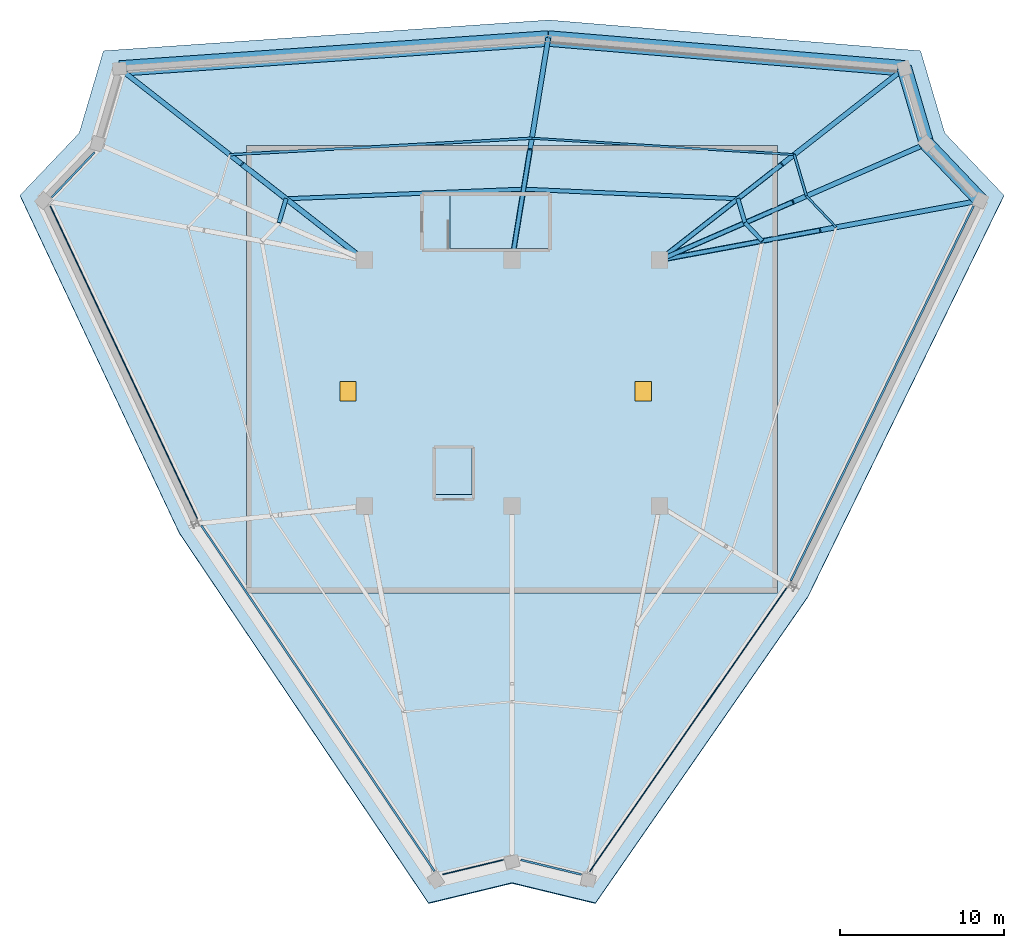
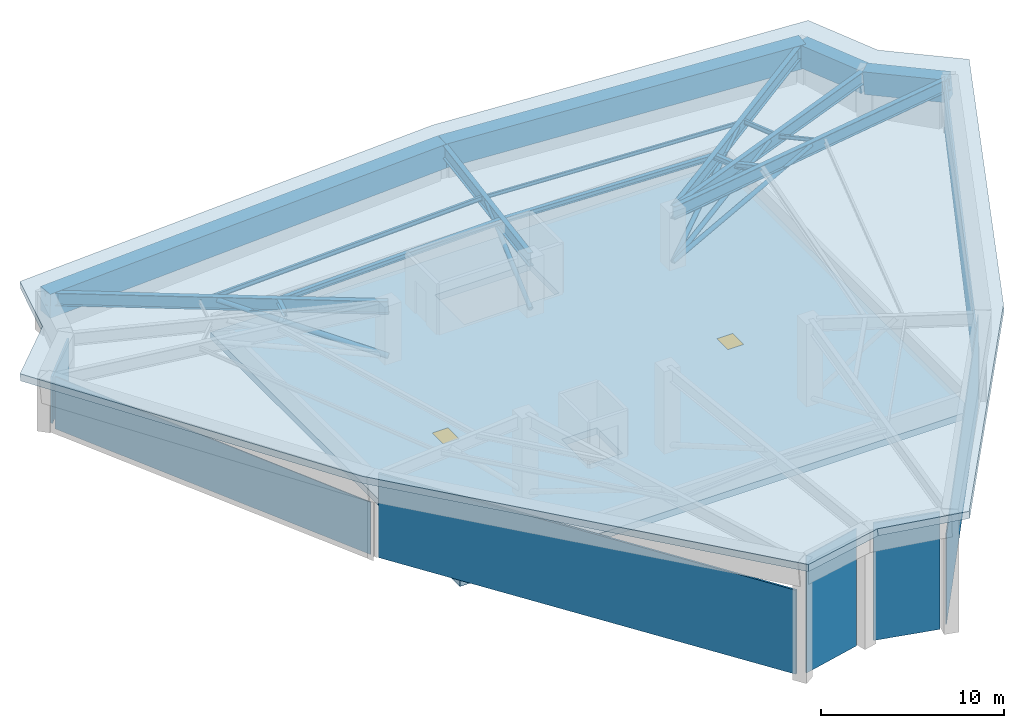
# One storey, part 4 of 6: 13 beams, 10 members, 7 plates, 2 doors, 2 slabs, 2 openings.
"""IFC4 building model written with IfcOpenShell, lengths in metres."""

from ifc_helpers import new_model, si_unit, direction, frame, origin, origin_2d, place, context, subcontext, project, spatial, polyline, rectangle, hollow_circle, i_section, outline, extrude, source, transform, mapped, material, layer, layer_set, material_profile, profile_set, type_object, element, fill, save


model = new_model("IFC4")

# Units and contexts
model_context = context("Model", 3, precision=1e-05, world=origin(), true_north=direction((0.0, 1.0)))
body_context = subcontext(model_context, "Body", "Model", "MODEL_VIEW")
ifc_project = project(units=[si_unit("LENGTHUNIT", "METRE"), si_unit("AREAUNIT", "SQUARE_METRE"), si_unit("VOLUMEUNIT", "CUBIC_METRE"), si_unit("PLANEANGLEUNIT", "RADIAN"), si_unit("MASSUNIT", "GRAM", prefix="KILO")], contexts=[model_context])

# Site, building, storey
site_placement = place(None, origin())
site = spatial("IfcSite", under=ifc_project, at=site_placement, CompositionType="ELEMENT")
building_placement = place(site_placement, origin())
building = spatial("IfcBuilding", under=site, at=building_placement, Name="Liaohun Quay Tower", CompositionType="ELEMENT")
storey_placement = place(building_placement, frame((0.0, 0.0, 371.39990234375)))
storey = spatial("IfcBuildingStorey", under=building, at=storey_placement, Name="L95", CompositionType="ELEMENT", Elevation=371.39990234375)

# Beams
ifc_material_1 = material(Name="Concrete C55", Category="concrete")
ifc_material_profile_1 = material_profile(ifc_material_1, rectangle(XDim=0.949951171875, YDim=1.60009765625, at=origin_2d()), Name="RC950x1600")
ifc_profile_set_1 = profile_set([ifc_material_profile_1], Name="Concrete C55")
beam_type_1 = type_object("IfcBeamType", Name="BM-CAN-LNG", PredefinedType="SPANDREL", material=ifc_profile_set_1)
shared_shape_1 = source(origin(), body_context, "Body", "SweptSolid", [
    extrude(rectangle(XDim=0.949951171875, YDim=1.60009765625, at=origin_2d()), origin(), (0.0, 0.0, 1.0), 26.20849609375),
])
beam_1_placement = place(storey_placement, frame((36.06298828125, 73.18505859375, 1.8681640625), z_axis=(0.997536349178, 0.069743520594, -0.007554694163), x_axis=(-0.069745510929, 0.997564816794, 0.0)))
element("IfcBeam", 1, at=beam_1_placement, inside=storey, type_object=beam_type_1, Name="L95 Sloped Canopy Ring Beam PC05-PC06", PredefinedType="SPANDREL", context=body_context, shape_type="MappedRepresentation", body=[
    mapped(shared_shape_1, transform((0.0, 0.0, 0.0), x_axis=(1.0, 0.0, 0.0), y_axis=(0.0, 1.0, 0.0), z_axis=(0.0, 0.0, 1.0), scale=1.0)),
])
shared_shape_2 = source(origin(), body_context, "Body", "SweptSolid", [
    extrude(rectangle(XDim=0.949951171875, YDim=1.60009765625, at=origin_2d()), origin(), (0.0, 0.0, 1.0), 21.803955078125),
])
beam_2_placement = place(storey_placement, frame((62.20703125, 75.012939453125, 1.670166015625), z_axis=(0.996473650468, -0.083418305683, 0.009036050025), x_axis=(0.083421711453, 0.996514334096, 0.0)))
element("IfcBeam", 2, at=beam_2_placement, inside=storey, type_object=beam_type_1, Name="L95 Sloped Canopy Ring Beam PC06-PC07", PredefinedType="SPANDREL", context=body_context, shape_type="MappedRepresentation", body=[
    mapped(shared_shape_2, transform((0.0, 0.0, 0.0), x_axis=(1.0, 0.0, 0.0), y_axis=(0.0, 1.0, 0.0), z_axis=(0.0, 0.0, 1.0), scale=1.0)),
])
ifc_material_profile_2 = material_profile(ifc_material_1, rectangle(XDim=0.89990234375, YDim=1.5, at=origin_2d()), Name="RC900x1500")
ifc_profile_set_2 = profile_set([ifc_material_profile_2], Name="Concrete C55")
beam_type_2 = type_object("IfcBeamType", Name="BM-CAN-RING", PredefinedType="BEAM", material=ifc_profile_set_2)
shared_shape_3 = source(origin(), body_context, "Body", "SweptSolid", [
    extrude(rectangle(XDim=0.89990234375, YDim=1.5, at=origin_2d()), origin(), (0.0, 0.0, 1.0), 4.8154296875),
])
beam_3_placement = place(storey_placement, frame((83.93408203125, 73.194091796875, 1.8671875), z_axis=(0.281181829998, -0.954020644622, 0.103833463367), x_axis=(0.959205440384, 0.282709962926, 0.0)))
element("IfcBeam", 3, at=beam_3_placement, inside=storey, type_object=beam_type_2, Name="L95 Sloped Canopy Ring Beam PC07-PC08", PredefinedType="BEAM", context=body_context, shape_type="MappedRepresentation", body=[
    mapped(shared_shape_3, transform((0.0, 0.0, 0.0), x_axis=(1.0, 0.0, 0.0), y_axis=(0.0, 1.0, 0.0), z_axis=(0.0, 0.0, 1.0), scale=1.0)),
])
shared_shape_4 = source(origin(), body_context, "Body", "SweptSolid", [
    extrude(rectangle(XDim=0.89990234375, YDim=1.5, at=origin_2d()), origin(), (0.0, 0.0, 1.0), 4.794921875),
])
beam_4_placement = place(storey_placement, frame((85.2880859375, 68.60009765625, 2.3671875), z_axis=(0.687170609586, -0.72225215597, 0.078411584081), x_axis=(0.724482786422, 0.689292892883, 0.0)))
element("IfcBeam", 4, at=beam_4_placement, inside=storey, type_object=beam_type_2, Name="L95 Sloped Canopy Ring Beam PC08-PC09", PredefinedType="BEAM", context=body_context, shape_type="MappedRepresentation", body=[
    mapped(shared_shape_4, transform((0.0, 0.0, 0.0), x_axis=(1.0, 0.0, 0.0), y_axis=(0.0, 1.0, 0.0), z_axis=(0.0, 0.0, 1.0), scale=1.0)),
])
ifc_material_2 = material(Name="Steel Q355D", Category="steel")
ifc_material_profile_3 = material_profile(ifc_material_2, i_section(OverallWidth=0.300048828125, OverallDepth=0.85009765625, WebThickness=0.01611328125, FlangeThickness=0.028076171875, at=origin_2d()), Name="HN850x300x16x28")
ifc_profile_set_3 = profile_set([ifc_material_profile_3], Name="Steel Q355D")
beam_type_3 = type_object("IfcBeamType", Name="BM-RAD-H2", PredefinedType="BEAM", material=ifc_profile_set_3)
shared_shape_5 = source(origin(), body_context, "Body", "SweptSolid", [
    extrude(i_section(OverallWidth=0.300048828125, OverallDepth=0.85009765625, WebThickness=0.01611328125, FlangeThickness=0.028076171875, at=origin_2d()), origin(), (0.0, 0.0, 1.0), 17.78515625),
])
beam_5_placement = place(storey_placement, frame((69.0, 61.5, 3.443115234375), z_axis=(0.9158308367, 0.39921746497, -0.043350827122), x_axis=(-0.39959311806, 0.916692609329, 0.0)))
element("IfcBeam", 5, at=beam_5_placement, inside=storey, type_object=beam_type_3, Name="L95 Canopy Radial Girder CC4-PC08", PredefinedType="BEAM", context=body_context, shape_type="MappedRepresentation", body=[
    mapped(shared_shape_5, transform((0.0, 0.0, 0.0), x_axis=(1.0, 0.0, 0.0), y_axis=(0.0, 1.0, 0.0), z_axis=(0.0, 0.0, 1.0), scale=1.0)),
])
shared_shape_6 = source(origin(), body_context, "Body", "SweptSolid", [
    extrude(i_section(OverallWidth=0.300048828125, OverallDepth=0.85009765625, WebThickness=0.01611328125, FlangeThickness=0.028076171875, at=origin_2d()), origin(), (0.0, 0.0, 1.0), 19.007080078125),
])
beam_6_placement = place(storey_placement, frame((51.0, 61.5, 3.443115234375), z_axis=(-0.785867007791, 0.614775043753, -0.066818348118), x_axis=(-0.616152046894, -0.787627231061, 0.0)))
element("IfcBeam", 6, at=beam_6_placement, inside=storey, type_object=beam_type_3, Name="L95 Canopy Radial Girder CC6-PC05", PredefinedType="BEAM", context=body_context, shape_type="MappedRepresentation", body=[
    mapped(shared_shape_6, transform((0.0, 0.0, 0.0), x_axis=(1.0, 0.0, 0.0), y_axis=(0.0, 1.0, 0.0), z_axis=(0.0, 0.0, 1.0), scale=1.0)),
])

# Member
ifc_material_profile_4 = material_profile(ifc_material_2, hollow_circle(Radius=0.16259765625, WallThickness=0.013916015625, at=origin_2d()), Name="CHS325x14")
ifc_profile_set_4 = profile_set([ifc_material_profile_4], Name="Steel Q355D")
member_type_1 = type_object("IfcMemberType", Name="MEM-CAN-STR", PredefinedType="STRUT", material=ifc_profile_set_4)
shared_shape_7 = source(origin(), body_context, "Body", "SweptSolid", [
    extrude(hollow_circle(Radius=0.16259765625, WallThickness=0.013916015625, at=origin_2d()), origin(), (0.0, 0.0, 1.0), 9.902099609375),
])
member_1_placement = place(storey_placement, frame((51.0, 61.5, 0.150146484375), z_axis=(-0.754183994479, 0.590077659939, 0.288122990601), x_axis=(-0.616208980428, -0.787582689271, 0.0)))
element("IfcMember", 7, at=member_1_placement, inside=storey, type_object=member_type_1, Name="L95 Canopy Inclined Strut 06", PredefinedType="STRUT", context=body_context, shape_type="MappedRepresentation", body=[
    mapped(shared_shape_7, transform((0.0, 0.0, 0.0), x_axis=(1.0, 0.0, 0.0), y_axis=(0.0, 1.0, 0.0), z_axis=(0.0, 0.0, 1.0), scale=1.0)),
])

# Beam
shared_shape_8 = source(origin(), body_context, "Body", "SweptSolid", [
    extrude(i_section(OverallWidth=0.300048828125, OverallDepth=0.85009765625, WebThickness=0.01611328125, FlangeThickness=0.028076171875, at=origin_2d()), origin(), (0.0, 0.0, 1.0), 13.7705078125),
])
beam_7_placement = place(storey_placement, frame((60.0, 61.5, 3.443115234375), z_axis=(0.160272866353, 0.981298991126, -0.106606277144), x_axis=(-0.986923156973, 0.161191445898, 0.0)))
element("IfcBeam", 8, at=beam_7_placement, inside=storey, type_object=beam_type_3, Name="L95 Canopy Radial Girder CC5-PC06", PredefinedType="BEAM", context=body_context, shape_type="MappedRepresentation", body=[
    mapped(shared_shape_8, transform((0.0, 0.0, 0.0), x_axis=(1.0, 0.0, 0.0), y_axis=(0.0, 1.0, 0.0), z_axis=(0.0, 0.0, 1.0), scale=1.0)),
])

# Member
ifc_material_profile_5 = material_profile(ifc_material_2, hollow_circle(Radius=0.136474609375, WallThickness=0.011962890625, at=origin_2d()), Name="CHS273x12")
ifc_profile_set_5 = profile_set([ifc_material_profile_5], Name="Steel Q355D")
member_type_2 = type_object("IfcMemberType", Name="MEM-CAN-BRC", PredefinedType="BRACE", material=ifc_profile_set_5)
shared_shape_9 = source(origin(), body_context, "Body", "SweptSolid", [
    extrude(hollow_circle(Radius=0.136474609375, WallThickness=0.011962890625, at=origin_2d()), origin(), (0.0, 0.0, 1.0), 7.379638671875),
])
member_2_placement = place(storey_placement, frame((60.0, 61.5, 0.150146484375), z_axis=(0.149469383885, 0.915640579412, 0.373177213418), x_axis=(-0.986936815278, 0.161107798223, 0.0)))
element("IfcMember", 9, at=member_2_placement, inside=storey, type_object=member_type_2, Name="L95 Canopy Inclined Strut 07", PredefinedType="BRACE", context=body_context, shape_type="MappedRepresentation", body=[
    mapped(shared_shape_9, transform((0.0, 0.0, 0.0), x_axis=(1.0, 0.0, 0.0), y_axis=(0.0, 1.0, 0.0), z_axis=(0.0, 0.0, 1.0), scale=1.0)),
])

# Beam
shared_shape_10 = source(origin(), body_context, "Body", "SweptSolid", [
    extrude(i_section(OverallWidth=0.300048828125, OverallDepth=0.85009765625, WebThickness=0.01611328125, FlangeThickness=0.028076171875, at=origin_2d()), origin(), (0.0, 0.0, 1.0), 19.01025390625),
])
beam_8_placement = place(storey_placement, frame((69.0, 61.5, 3.443115234375), z_axis=(0.785575718764, 0.615142902617, -0.066858054469), x_axis=(-0.616522373236, 0.787337388481, 0.0)))
element("IfcBeam", 10, at=beam_8_placement, inside=storey, type_object=beam_type_3, Name="L95 Canopy Radial Girder CC4-PC07", PredefinedType="BEAM", context=body_context, shape_type="MappedRepresentation", body=[
    mapped(shared_shape_10, transform((0.0, 0.0, 0.0), x_axis=(1.0, 0.0, 0.0), y_axis=(0.0, 1.0, 0.0), z_axis=(0.0, 0.0, 1.0), scale=1.0)),
])

# Members
shared_shape_11 = source(origin(), body_context, "Body", "SweptSolid", [
    extrude(hollow_circle(Radius=0.136474609375, WallThickness=0.011962890625, at=origin_2d()), origin(), (0.0, 0.0, 1.0), 9.903564453125),
])
member_3_placement = place(storey_placement, frame((69.0, 61.5, 0.150146484375), z_axis=(0.753965892747, 0.590378589681, 0.288077339305), x_axis=(-0.61651439422, 0.787343636362, 0.0)))
element("IfcMember", 11, at=member_3_placement, inside=storey, type_object=member_type_2, Name="L95 Canopy Inclined Strut 08", PredefinedType="BRACE", context=body_context, shape_type="MappedRepresentation", body=[
    mapped(shared_shape_11, transform((0.0, 0.0, 0.0), x_axis=(1.0, 0.0, 0.0), y_axis=(0.0, 1.0, 0.0), z_axis=(0.0, 0.0, 1.0), scale=1.0)),
])
shared_shape_12 = source(origin(), body_context, "Body", "SweptSolid", [
    extrude(hollow_circle(Radius=0.136474609375, WallThickness=0.011962890625, at=origin_2d()), origin(), (0.0, 0.0, 1.0), 9.41015625),
])
member_4_placement = place(storey_placement, frame((69.0, 61.5, 0.150146484375), z_axis=(0.865452660688, 0.377257243812, 0.329649304716), x_axis=(-0.39959311806, 0.916692609329, 0.0)))
element("IfcMember", 12, at=member_4_placement, inside=storey, type_object=member_type_2, Name="L95 Canopy Inclined Strut 09", PredefinedType="BRACE", context=body_context, shape_type="MappedRepresentation", body=[
    mapped(shared_shape_12, transform((0.0, 0.0, 0.0), x_axis=(1.0, 0.0, 0.0), y_axis=(0.0, 1.0, 0.0), z_axis=(0.0, 0.0, 1.0), scale=1.0)),
])

# Beam
shared_shape_13 = source(origin(), body_context, "Body", "SweptSolid", [
    extrude(i_section(OverallWidth=0.300048828125, OverallDepth=0.85009765625, WebThickness=0.01611328125, FlangeThickness=0.028076171875, at=origin_2d()), origin(), (0.0, 0.0, 1.0), 19.921875),
])
beam_9_placement = place(storey_placement, frame((69.0, 61.5, 3.443115234375), z_axis=(0.982994368295, 0.182562049375, -0.019828515533), x_axis=(-0.182597948925, 0.983187667258, 0.0)))
element("IfcBeam", 13, at=beam_9_placement, inside=storey, type_object=beam_type_3, Name="L95 Canopy Radial Girder CC4-PC09", PredefinedType="BEAM", context=body_context, shape_type="MappedRepresentation", body=[
    mapped(shared_shape_13, transform((0.0, 0.0, 0.0), x_axis=(1.0, 0.0, 0.0), y_axis=(0.0, 1.0, 0.0), z_axis=(0.0, 0.0, 1.0), scale=1.0)),
])

# Members
shared_shape_14 = source(origin(), body_context, "Body", "SweptSolid", [
    extrude(hollow_circle(Radius=0.136474609375, WallThickness=0.011962890625, at=origin_2d()), origin(), (0.0, 0.0, 1.0), 10.488037109375),
])
member_5_placement = place(storey_placement, frame((69.0, 61.5, 0.150146484375), z_axis=(0.93354757846, 0.173445616575, 0.313696568106), x_axis=(-0.182665996562, 0.983175026992, 0.0)))
element("IfcMember", 14, at=member_5_placement, inside=storey, type_object=member_type_2, Name="L95 Canopy Inclined Strut 10", PredefinedType="BRACE", context=body_context, shape_type="MappedRepresentation", body=[
    mapped(shared_shape_14, transform((0.0, 0.0, 0.0), x_axis=(1.0, 0.0, 0.0), y_axis=(0.0, 1.0, 0.0), z_axis=(0.0, 0.0, 1.0), scale=1.0)),
])
ifc_material_profile_6 = material_profile(ifc_material_2, i_section(OverallWidth=0.25, OverallDepth=0.340087890625, WebThickness=0.009033203125, FlangeThickness=0.013916015625, at=origin_2d()), Name="HM340x250x9x14")
ifc_profile_set_6 = profile_set([ifc_material_profile_6], Name="Steel Q355D")
member_type_3 = type_object("IfcMemberType", Name="MEM-RAF-TIE", PredefinedType="RAFTER", material=ifc_profile_set_6)
shared_shape_15 = source(origin(), body_context, "Body", "SweptSolid", [
    extrude(i_section(OverallWidth=0.25, OverallDepth=0.340087890625, WebThickness=0.009033203125, FlangeThickness=0.013916015625, at=origin_2d()), origin(), (0.0, 0.0, 1.0), 1.53759765625),
])
member_6_placement = place(storey_placement, frame((45.7880859375, 63.77197265625, 3.421142578125), z_axis=(0.280895429246, 0.954155248354, -0.103370788264), x_axis=(-0.959294292676, 0.282408321475, 0.0)))
element("IfcMember", 15, at=member_6_placement, inside=storey, type_object=member_type_3, Name="L95 Canopy Steel Rafter Tie RT-1-04", PredefinedType="RAFTER", context=body_context, shape_type="MappedRepresentation", body=[
    mapped(shared_shape_15, transform((0.0, 0.0, 0.0), x_axis=(1.0, 0.0, 0.0), y_axis=(0.0, 1.0, 0.0), z_axis=(0.0, 0.0, 1.0), scale=1.0)),
])

# Beam
ifc_material_profile_7 = material_profile(ifc_material_2, i_section(OverallWidth=0.14990234375, OverallDepth=0.300048828125, WebThickness=0.006591796875, FlangeThickness=0.009033203125, at=origin_2d()), Name="HN300x150x6.5x9")
ifc_profile_set_7 = profile_set([ifc_material_profile_7], Name="Steel Q355D")
beam_type_4 = type_object("IfcBeamType", Name="BM-CAN-P1", PredefinedType="USERDEFINED", material=ifc_profile_set_7)
shared_shape_16 = source(origin(), body_context, "Body", "SweptSolid", [
    extrude(i_section(OverallWidth=0.14990234375, OverallDepth=0.300048828125, WebThickness=0.006591796875, FlangeThickness=0.009033203125, at=origin_2d()), origin(), (0.0, 0.0, 1.0), 18.456787109375),
])
beam_10_placement = place(storey_placement, frame((42.784912109375, 67.927001953125, 2.7451171875), z_axis=(0.998498959713, 0.054444820472, -0.005965649668), x_axis=(-0.054445789316, 0.998516727965, 0.0)))
element("IfcBeam", 16, at=beam_10_placement, inside=storey, type_object=beam_type_4, Name="L95 Canopy Steel Purlin 05", ObjectType="PURLIN", PredefinedType="USERDEFINED", context=body_context, shape_type="MappedRepresentation", body=[
    mapped(shared_shape_16, transform((0.0, 0.0, 0.0), x_axis=(1.0, 0.0, 0.0), y_axis=(0.0, 1.0, 0.0), z_axis=(0.0, 0.0, 1.0), scale=1.0)),
])

# Member
shared_shape_17 = source(origin(), body_context, "Body", "SweptSolid", [
    extrude(i_section(OverallWidth=0.25, OverallDepth=0.340087890625, WebThickness=0.009033203125, FlangeThickness=0.013916015625, at=origin_2d()), origin(), (0.0, 0.0, 1.0), 14.498046875),
])
member_7_placement = place(storey_placement, frame((46.219970703125, 65.239013671875, 3.26220703125), z_axis=(0.999175888446, 0.040347609821, -0.004428806921), x_axis=(-0.040348005522, 0.999185687673, 0.0)))
element("IfcMember", 17, at=member_7_placement, inside=storey, type_object=member_type_3, Name="L95 Canopy Steel Rafter Tie RT-1-05", PredefinedType="RAFTER", context=body_context, shape_type="MappedRepresentation", body=[
    mapped(shared_shape_17, transform((0.0, 0.0, 0.0), x_axis=(1.0, 0.0, 0.0), y_axis=(0.0, 1.0, 0.0), z_axis=(0.0, 0.0, 1.0), scale=1.0)),
])

# Beam
ifc_material_profile_8 = material_profile(ifc_material_2, i_section(OverallWidth=0.125, OverallDepth=0.25, WebThickness=0.006103515625, FlangeThickness=0.009033203125, at=origin_2d()), Name="HN250x125x6x9")
ifc_profile_set_8 = profile_set([ifc_material_profile_8], Name="Steel Q355D")
beam_type_5 = type_object("IfcBeamType", Name="BM-CAN-P2", PredefinedType="USERDEFINED", material=ifc_profile_set_8)
shared_shape_18 = source(origin(), body_context, "Body", "SweptSolid", [
    extrude(i_section(OverallWidth=0.125, OverallDepth=0.25, WebThickness=0.006103515625, FlangeThickness=0.009033203125, at=origin_2d()), origin(), (0.0, 0.0, 1.0), 16.031494140625),
])
beam_11_placement = place(storey_placement, frame((61.214111328125, 68.931884765625, 2.635009765625), z_axis=(0.998029454089, -0.062376840881, 0.00680723825), x_axis=(0.062378286155, 0.998052578483, 0.0)))
element("IfcBeam", 18, at=beam_11_placement, inside=storey, type_object=beam_type_5, Name="L95 Canopy Steel Purlin 06", ObjectType="PURLIN", PredefinedType="USERDEFINED", context=body_context, shape_type="MappedRepresentation", body=[
    mapped(shared_shape_18, transform((0.0, 0.0, 0.0), x_axis=(1.0, 0.0, 0.0), y_axis=(0.0, 1.0, 0.0), z_axis=(0.0, 0.0, 1.0), scale=1.0)),
])

# Member
shared_shape_19 = source(origin(), body_context, "Body", "SweptSolid", [
    extrude(i_section(OverallWidth=0.25, OverallDepth=0.340087890625, WebThickness=0.009033203125, FlangeThickness=0.013916015625, at=origin_2d()), origin(), (0.0, 0.0, 1.0), 13.086181640625),
])
member_8_placement = place(storey_placement, frame((60.7060546875, 65.823974609375, 3.197998046875), z_axis=(0.99899881007, -0.044477060586, 0.004813373167), x_axis=(0.04447757583, 0.999010382953, 0.0)))
element("IfcMember", 19, at=member_8_placement, inside=storey, type_object=member_type_3, Name="L95 Canopy Steel Rafter Tie RT-1-06", PredefinedType="RAFTER", context=body_context, shape_type="MappedRepresentation", body=[
    mapped(shared_shape_19, transform((0.0, 0.0, 0.0), x_axis=(1.0, 0.0, 0.0), y_axis=(0.0, 1.0, 0.0), z_axis=(0.0, 0.0, 1.0), scale=1.0)),
])

# Beam
shared_shape_20 = source(origin(), body_context, "Body", "SweptSolid", [
    extrude(i_section(OverallWidth=0.14990234375, OverallDepth=0.300048828125, WebThickness=0.006591796875, FlangeThickness=0.009033203125, at=origin_2d()), origin(), (0.0, 0.0, 1.0), 2.6484375),
])
beam_12_placement = place(storey_placement, frame((77.214111328125, 67.931884765625, 2.744140625), z_axis=(0.280886661658, -0.954111239962, 0.103799928135), x_axis=(0.959293151892, 0.282412196504, 0.0)))
element("IfcBeam", 20, at=beam_12_placement, inside=storey, type_object=beam_type_4, Name="L95 Canopy Steel Purlin 07", ObjectType="PURLIN", PredefinedType="USERDEFINED", context=body_context, shape_type="MappedRepresentation", body=[
    mapped(shared_shape_20, transform((0.0, 0.0, 0.0), x_axis=(1.0, 0.0, 0.0), y_axis=(0.0, 1.0, 0.0), z_axis=(0.0, 0.0, 1.0), scale=1.0)),
])

# Member
shared_shape_21 = source(origin(), body_context, "Body", "SweptSolid", [
    extrude(i_section(OverallWidth=0.25, OverallDepth=0.340087890625, WebThickness=0.009033203125, FlangeThickness=0.013916015625, at=origin_2d()), origin(), (0.0, 0.0, 1.0), 1.540771484375),
])
member_9_placement = place(storey_placement, frame((73.779052734375, 65.241943359375, 3.260986328125), z_axis=(0.280946562359, -0.954077412276, 0.10394864349), x_axis=(0.95927412058, 0.282476833713, 0.0)))
element("IfcMember", 21, at=member_9_placement, inside=storey, type_object=member_type_3, Name="L95 Canopy Steel Rafter Tie RT-1-07", PredefinedType="RAFTER", context=body_context, shape_type="MappedRepresentation", body=[
    mapped(shared_shape_21, transform((0.0, 0.0, 0.0), x_axis=(1.0, 0.0, 0.0), y_axis=(0.0, 1.0, 0.0), z_axis=(0.0, 0.0, 1.0), scale=1.0)),
])

# Beam
shared_shape_22 = source(origin(), body_context, "Body", "SweptSolid", [
    extrude(i_section(OverallWidth=0.125, OverallDepth=0.25, WebThickness=0.006103515625, FlangeThickness=0.009033203125, at=origin_2d()), origin(), (0.0, 0.0, 1.0), 2.637939453125),
])
beam_13_placement = place(storey_placement, frame((77.9580078125, 65.405029296875, 3.01904296875), z_axis=(0.687284429579, -0.722176192298, 0.078113123965), x_axis=(0.724389563234, 0.68939086205, 0.0)))
element("IfcBeam", 22, at=beam_13_placement, inside=storey, type_object=beam_type_5, Name="L95 Canopy Steel Purlin 08", ObjectType="PURLIN", PredefinedType="USERDEFINED", context=body_context, shape_type="MappedRepresentation", body=[
    mapped(shared_shape_22, transform((0.0, 0.0, 0.0), x_axis=(1.0, 0.0, 0.0), y_axis=(0.0, 1.0, 0.0), z_axis=(0.0, 0.0, 1.0), scale=1.0)),
])

# Member
shared_shape_23 = source(origin(), body_context, "Body", "SweptSolid", [
    extrude(i_section(OverallWidth=0.25, OverallDepth=0.340087890625, WebThickness=0.009033203125, FlangeThickness=0.013916015625, at=origin_2d()), origin(), (0.0, 0.0, 1.0), 1.53466796875),
])
member_10_placement = place(storey_placement, frame((74.2119140625, 63.77197265625, 3.421142578125), z_axis=(0.687556063205, -0.721917958081, 0.078109677703), x_axis=(0.724130341437, 0.689663141404, 0.0)))
element("IfcMember", 23, at=member_10_placement, inside=storey, type_object=member_type_3, Name="L95 Canopy Steel Rafter Tie RT-1-08", PredefinedType="RAFTER", context=body_context, shape_type="MappedRepresentation", body=[
    mapped(shared_shape_23, transform((0.0, 0.0, 0.0), x_axis=(1.0, 0.0, 0.0), y_axis=(0.0, 1.0, 0.0), z_axis=(0.0, 0.0, 1.0), scale=1.0)),
])

# Slab, openings, doors
ifc_material_3 = material(Name="Precast concrete C55", Category="concrete")
ifc_layer_1 = layer(ifc_material_3, 0.449951171875, Name="Precast concrete C55", Category="concrete")
ifc_layer_set_1 = layer_set([ifc_layer_1], Name="Precast concrete C55")
slab_type = type_object("IfcSlabType", Name="SLB-CAN-450", PredefinedType="ROOF", material=ifc_layer_set_1)
slab_1_placement = place(storey_placement, frame((0.0, 0.0, -0.449951171875)))
slab_1 = element("IfcSlab", 24, at=slab_1_placement, inside=storey, type_object=slab_type, Name="L95 Crown Mechanical House Roof Slab", PredefinedType="ROOF", context=body_context, shape_type="SweptSolid", body=[
    extrude(outline(polyline([(43.800048828125, 41.199951171875), (76.199951171875, 41.199951171875), (76.199951171875, 68.5), (43.800048828125, 68.5), (43.800048828125, 41.199951171875)]), holes=[polyline([(55.340087890625, 47.2099609375), (57.56005859375, 47.2099609375), (57.56005859375, 50.030029296875), (55.340087890625, 50.030029296875), (55.340087890625, 47.2099609375)]), polyline([(56.2099609375, 62.199951171875), (62.219970703125, 62.199951171875), (62.219970703125, 65.43994140625), (56.2099609375, 65.43994140625), (56.2099609375, 62.199951171875)])]), origin(), (0.0, 0.0, 1.0), 0.449951171875),
])
opening_1_placement = place(slab_1_placement, frame((50.0, 53.5, 0.0)))
opening_1 = element("IfcOpeningElement", 25, at=opening_1_placement, cuts=slab_1, Name="Opening HD1", PredefinedType="OPENING", context=body_context, shape_type="SweptSolid", body=[
    extrude(rectangle(XDim=1.0, YDim=1.199951171875, at=origin_2d()), origin(), (0.0, 0.0, 1.0), 0.449951171875),
])
opening_2_placement = place(slab_1_placement, frame((68.0, 53.5, 0.0)))
opening_2 = element("IfcOpeningElement", 26, at=opening_2_placement, cuts=slab_1, Name="Opening HD1", PredefinedType="OPENING", context=body_context, shape_type="SweptSolid", body=[
    extrude(rectangle(XDim=1.0, YDim=1.199951171875, at=origin_2d()), origin(), (0.0, 0.0, 1.0), 0.449951171875),
])
ifc_material_4 = material(Name="Insulated aluminium roof access hatch", Category="aluminium")
door_type = type_object("IfcDoorType", Name="DOR-HTC-1000", OperationType="SINGLE_SWING_LEFT", PredefinedType="TRAPDOOR", material=ifc_material_4)
door_1_placement = place(opening_1_placement, frame((0.0, 0.0, 0.39990234375)))
door_1 = element("IfcDoor", 27, at=door_1_placement, inside=storey, type_object=door_type, Name="L95 Crown Mechanical Roof Access Hatch 1", OperationType="SINGLE_SWING_LEFT", OverallHeight=1.199951171875, OverallWidth=1.0, PredefinedType="TRAPDOOR", context=body_context, shape_type="SweptSolid", body=[
    extrude(rectangle(XDim=1.0, YDim=1.199951171875, at=origin_2d()), origin(), (0.0, 0.0, 1.0), 0.050048828125),
])
fill(opening_1, door_1)
door_2_placement = place(opening_2_placement, frame((0.0, 0.0, 0.39990234375)))
door_2 = element("IfcDoor", 28, at=door_2_placement, inside=storey, type_object=door_type, Name="L95 Crown Mechanical Roof Access Hatch 2", OperationType="SINGLE_SWING_LEFT", OverallHeight=1.199951171875, OverallWidth=1.0, PredefinedType="TRAPDOOR", context=body_context, shape_type="SweptSolid", body=[
    extrude(rectangle(XDim=1.0, YDim=1.199951171875, at=origin_2d()), origin(), (0.0, 0.0, 1.0), 0.050048828125),
])
fill(opening_2, door_2)

# Slab
slab_2_placement = place(storey_placement, frame((54.910888671875, 22.287109375, 8.60009765625), z_axis=(1.597038e-06, 0.10799547833, 0.994151385181), x_axis=(0.971741232126, 0.234667951339, -0.025493732583)))
element("IfcSlab", 29, at=slab_2_placement, inside=storey, type_object=slab_type, Name="L95 Single-Slope Brutalist Observation Canopy", PredefinedType="ROOF", context=body_context, shape_type="SweptSolid", body=[
    extrude(outline(polyline([(0.0, 0.0), (5.237105475755096, 1.0061396160665481e-16), (9.890598624836008, -2.4025559894263933), (26.929855038851024, 12.814338083772844), (44.35455369439393, 33.90404147661385), (41.74800061440045, 38.46342207983283), (41.502249369822934, 43.721548787346265), (19.912251234051276, 50.91121232034931), (-6.929181804763828, 55.48617795274472), (-9.559746648637057, 50.92674610768764), (-13.967476105028837, 48.0712266314387), (-9.415971590812445, 25.664706371090443), (0.0, 0.0)])), origin(), (0.0, 0.0, -1.0), 0.449951171875),
])

# Plates
ifc_material_5 = material(Name="Precast concrete C50 bush-hammered spandrel plate", Category="concrete")
ifc_layer_2 = layer(ifc_material_5, 0.1201171875, Name="Precast concrete C50 bush-hammered spandrel plate", Category="concrete")
ifc_layer_set_2 = layer_set([ifc_layer_2], Name="Precast concrete C50 bush-hammered spandrel plate")
plate_type_1 = type_object("IfcPlateType", Name="PLT-PRC-CLAD", PredefinedType="USERDEFINED", material=ifc_layer_set_2)
shared_shape_24 = source(origin(), body_context, "Body", "SweptSolid", [
    extrude(rectangle(XDim=3.800048828125, YDim=0.1201171875, at=origin_2d()), origin(), (0.0, 0.0, 1.0), 7.844970703125),
])
plate_1_placement = place(storey_placement, frame((62.384033203125, 24.470947265625, -0.00048828125), z_axis=(0.0, 0.0, 1.0), x_axis=(0.972083987461, -0.234633163303, 0.0)))
element("IfcPlate", 30, at=plate_1_placement, inside=storey, type_object=plate_type_1, Name="L95 Crown Brutalist Cladding Fascia 01", ObjectType="CLADDING PLATE", PredefinedType="USERDEFINED", context=body_context, shape_type="MappedRepresentation", body=[
    mapped(shared_shape_24, transform((0.0, 0.0, 0.0), x_axis=(1.0, 0.0, 0.0), y_axis=(0.0, 1.0, 0.0), z_axis=(0.0, 0.0, 1.0), scale=1.0)),
])
ifc_material_6 = material(Name="Insulated anodised aluminium spandrel cassette", Category="aluminium")
ifc_layer_3 = layer(ifc_material_6, 0.06005859375, Name="Insulated anodised aluminium spandrel cassette", Category="aluminium")
ifc_layer_set_3 = layer_set([ifc_layer_3], Name="Insulated anodised aluminium spandrel cassette")
plate_type_2 = type_object("IfcPlateType", Name="PLT-CWP-SPD", PredefinedType="SHEET", material=ifc_layer_set_3)
shared_shape_25 = source(origin(), body_context, "Body", "SweptSolid", [
    extrude(rectangle(XDim=21.0380859375, YDim=0.06005859375, at=origin_2d()), origin(), (0.0, 0.0, 1.0), 6.028076171875),
])
plate_2_placement = place(storey_placement, frame((70.741943359375, 32.85791015625, 0.0), z_axis=(0.0, 0.0, 1.0), x_axis=(0.570570241419, 0.821248804935, 0.0)))
element("IfcPlate", 31, at=plate_2_placement, inside=storey, type_object=plate_type_2, Name="L95 Crown Brutalist Cladding Fascia 02", PredefinedType="SHEET", context=body_context, shape_type="MappedRepresentation", body=[
    mapped(shared_shape_25, transform((0.0, 0.0, 0.0), x_axis=(1.0, 0.0, 0.0), y_axis=(0.0, 1.0, 0.0), z_axis=(0.0, 0.0, 1.0), scale=1.0)),
])
shared_shape_26 = source(origin(), body_context, "Body", "SweptSolid", [
    extrude(rectangle(XDim=25.44189453125, YDim=0.1201171875, at=origin_2d()), origin(), (0.0, 0.0, 1.0), 3.492919921875),
])
plate_3_placement = place(storey_placement, frame((82.573974609375, 53.364013671875, 0.00048828125), z_axis=(0.0, 0.0, 1.0), x_axis=(0.438371146789, 0.898794046299, 0.0)))
element("IfcPlate", 32, at=plate_3_placement, inside=storey, type_object=plate_type_1, Name="L95 Crown Brutalist Cladding Fascia 03", ObjectType="CLADDING PLATE", PredefinedType="USERDEFINED", context=body_context, shape_type="MappedRepresentation", body=[
    mapped(shared_shape_26, transform((0.0, 0.0, 0.0), x_axis=(1.0, 0.0, 0.0), y_axis=(0.0, 1.0, 0.0), z_axis=(0.0, 0.0, 1.0), scale=1.0)),
])
shared_shape_27 = source(origin(), body_context, "Body", "SweptSolid", [
    extrude(rectangle(XDim=3.798095703125, YDim=0.1201171875, at=origin_2d()), origin(), (0.0, 0.0, 1.0), 3.10888671875),
])
plate_4_placement = place(storey_placement, frame((33.235107421875, 66.699951171875, -0.000244140625), z_axis=(0.0, 0.0, 1.0), x_axis=(-0.689493141399, -0.724292211723, 0.0)))
element("IfcPlate", 33, at=plate_4_placement, inside=storey, type_object=plate_type_1, Name="L95 Crown Brutalist Cladding Fascia 09", ObjectType="CLADDING PLATE", PredefinedType="USERDEFINED", context=body_context, shape_type="MappedRepresentation", body=[
    mapped(shared_shape_27, transform((0.0, 0.0, 0.0), x_axis=(1.0, 0.0, 0.0), y_axis=(0.0, 1.0, 0.0), z_axis=(0.0, 0.0, 1.0), scale=1.0)),
])
shared_shape_28 = source(origin(), body_context, "Body", "SweptSolid", [
    extrude(rectangle(XDim=21.0380859375, YDim=0.06005859375, at=origin_2d()), origin(), (0.0, 0.0, 1.0), 3.493896484375),
])
plate_5_placement = place(storey_placement, frame((36.320068359375, 55.26904296875, 0.0), z_axis=(0.0, 0.0, 1.0), x_axis=(0.425937207192, -0.90475272618, 0.0)))
element("IfcPlate", 34, at=plate_5_placement, inside=storey, type_object=plate_type_2, Name="L95 Crown Brutalist Cladding Fascia 10", PredefinedType="SHEET", context=body_context, shape_type="MappedRepresentation", body=[
    mapped(shared_shape_28, transform((0.0, 0.0, 0.0), x_axis=(1.0, 0.0, 0.0), y_axis=(0.0, 1.0, 0.0), z_axis=(0.0, 0.0, 1.0), scale=1.0)),
])
shared_shape_29 = source(origin(), body_context, "Body", "SweptSolid", [
    extrude(rectangle(XDim=25.44189453125, YDim=0.1201171875, at=origin_2d()), origin(), (0.0, 0.0, 1.0), 5.613037109375),
])
plate_6_placement = place(storey_placement, frame((48.162109375, 34.76904296875, 0.00048828125), z_axis=(0.0, 0.0, 1.0), x_axis=(0.559192903471, -0.829037572555, 0.0)))
element("IfcPlate", 35, at=plate_6_placement, inside=storey, type_object=plate_type_1, Name="L95 Crown Brutalist Cladding Fascia 11", ObjectType="CLADDING PLATE", PredefinedType="USERDEFINED", context=body_context, shape_type="MappedRepresentation", body=[
    mapped(shared_shape_29, transform((0.0, 0.0, 0.0), x_axis=(1.0, 0.0, 0.0), y_axis=(0.0, 1.0, 0.0), z_axis=(0.0, 0.0, 1.0), scale=1.0)),
])
shared_shape_30 = source(origin(), body_context, "Body", "SweptSolid", [
    extrude(rectangle(XDim=3.7900390625, YDim=0.06005859375, at=origin_2d()), origin(), (0.0, 0.0, 1.0), 7.844970703125),
])
plate_7_placement = place(storey_placement, frame((57.62109375, 24.471923828125, -0.00048828125), z_axis=(0.0, 0.0, 1.0), x_axis=(0.972083987461, 0.234633163303, 0.0)))
element("IfcPlate", 36, at=plate_7_placement, inside=storey, type_object=plate_type_2, Name="L95 Crown Brutalist Cladding Fascia 12", PredefinedType="SHEET", context=body_context, shape_type="MappedRepresentation", body=[
    mapped(shared_shape_30, transform((0.0, 0.0, 0.0), x_axis=(1.0, 0.0, 0.0), y_axis=(0.0, 1.0, 0.0), z_axis=(0.0, 0.0, 1.0), scale=1.0)),
])

save(model, "model.ifc")
